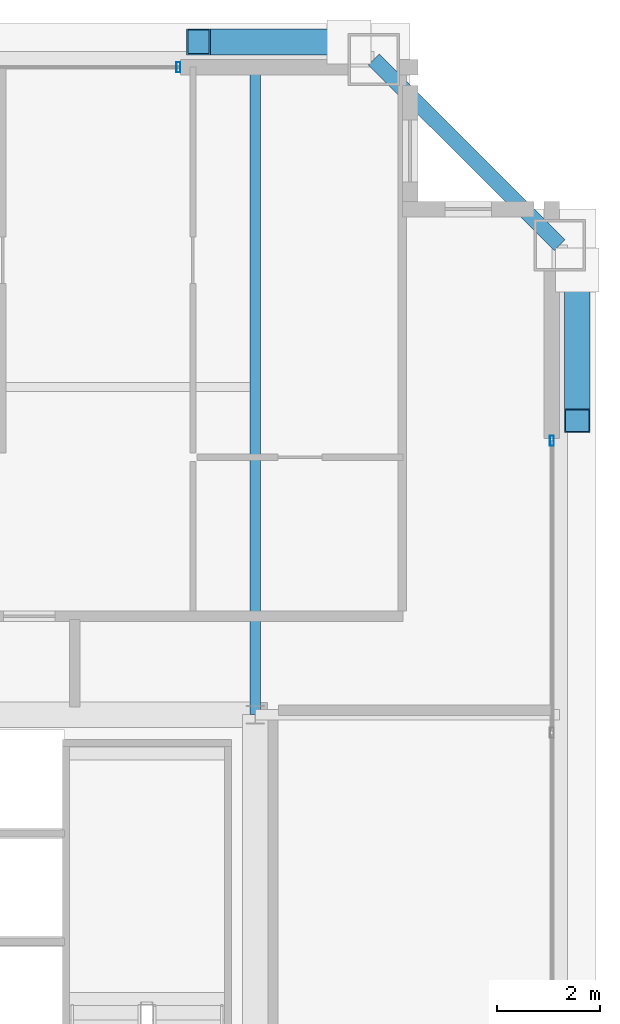
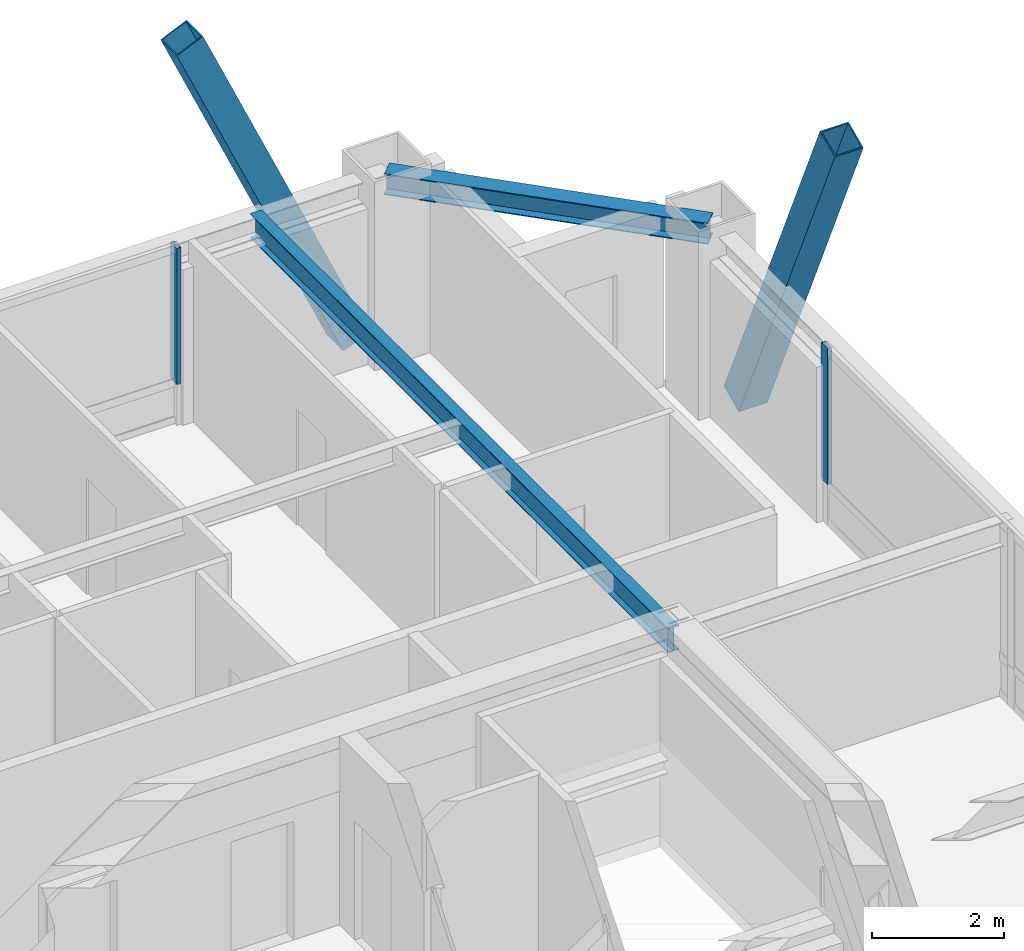
# One storey, part 18 of 33: 4 members, 2 beams, 2 elements without a shape of their own.
"""IFC4 building model written with IfcOpenShell, lengths in metres."""

from ifc_helpers import new_model, si_unit, direction, frame, origin, origin_2d, place, context, subcontext, project, spatial, hollow_rectangle, i_section, extrude, source, transform, mapped, material, layer, layer_set, material_profile, profile_set, type_object, element, aggregate, save


model = new_model("IFC4")

# Units and contexts
model_context = context("Model", 3, precision=1e-05, world=origin(), true_north=direction((0.0, 1.0)))
body_context = subcontext(model_context, "Body", "Model", "MODEL_VIEW")
ifc_project = project(units=[si_unit("LENGTHUNIT", "METRE"), si_unit("AREAUNIT", "SQUARE_METRE"), si_unit("VOLUMEUNIT", "CUBIC_METRE"), si_unit("PLANEANGLEUNIT", "RADIAN"), si_unit("MASSUNIT", "GRAM", prefix="KILO"), si_unit("THERMODYNAMICTEMPERATUREUNIT", "KELVIN"), si_unit("POWERUNIT", "WATT")], contexts=[model_context])

# Site, building, storey
site_placement = place(None, origin())
site = spatial("IfcSite", under=ifc_project, at=site_placement, CompositionType="ELEMENT")
building_placement = place(site_placement, origin())
building = spatial("IfcBuilding", under=site, at=building_placement, Name="Yuzanri Waterfront Tower", CompositionType="ELEMENT")
storey_placement = place(building_placement, frame((0.0, 0.0, 292.60009765625)))
storey = spatial("IfcBuildingStorey", under=building, at=storey_placement, Name="L78", CompositionType="ELEMENT", Elevation=292.60009765625)

# Beams
ifc_material_1 = material(Name="Steel Q355B", Category="steel")
ifc_material_profile_1 = material_profile(ifc_material_1, i_section(OverallWidth=0.300048828125, OverallDepth=0.389892578125, WebThickness=0.010009765625, FlangeThickness=0.01611328125, at=origin_2d()), Name="HM 390x300x10x16")
ifc_profile_set_1 = profile_set([ifc_material_profile_1], Name="Steel Q355B")
beam_type_1 = type_object("IfcBeamType", Name="Perimeter Spandrel Q355B HM 390x300", PredefinedType="SPANDREL", material=ifc_profile_set_1)
shared_shape_1 = source(origin(), body_context, "Body", "SweptSolid", [
    extrude(i_section(OverallWidth=0.300048828125, OverallDepth=0.389892578125, WebThickness=0.010009765625, FlangeThickness=0.01611328125, at=origin_2d()), origin(), (0.0, 0.0, 1.0), 5.091064453125),
])
beam_1_placement = place(storey_placement, frame((56.10009765625, 41.300048828125, 3.0849609375), z_axis=(-0.707130757816, 0.707082803744, 0.0), x_axis=(-0.707082803744, -0.707130757816, 0.0)))
element("IfcBeam", 1, at=beam_1_placement, inside=storey, type_object=beam_type_1, Name="L78 Perimeter Spandrel E3-N3", PredefinedType="SPANDREL", context=body_context, shape_type="MappedRepresentation", body=[
    mapped(shared_shape_1, transform((0.0, 0.0, 0.0), scale=1.0)),
])
ifc_material_2 = material(Name="Steel Q355B", Category="steel")
ifc_material_profile_2 = material_profile(ifc_material_2, i_section(OverallWidth=0.199951171875, OverallDepth=0.449951171875, WebThickness=0.009033203125, FlangeThickness=0.013916015625, at=origin_2d()), Name="HN 450x200x9x14")
ifc_profile_set_2 = profile_set([ifc_material_profile_2], Name="Steel Q355B")
beam_type_2 = type_object("IfcBeamType", Name="Secondary Floor Beam Q355B HN 450x200", PredefinedType="BEAM", material=ifc_profile_set_2)
shared_shape_2 = source(origin(), body_context, "Body", "SweptSolid", [
    extrude(i_section(OverallWidth=0.199951171875, OverallDepth=0.449951171875, WebThickness=0.009033203125, FlangeThickness=0.013916015625, at=origin_2d()), origin(), (0.0, 0.0, 1.0), 12.699951171875),
])
beam_2_placement = place(storey_placement, frame((50.199951171875, 32.199951171875, 3.054931640625), z_axis=(0.0, 1.0, 0.0), x_axis=(-1.0, 0.0, 0.0)))
element("IfcBeam", 2, at=beam_2_placement, inside=storey, type_object=beam_type_2, Name="L78 North-East Core Line Beam", PredefinedType="BEAM", context=body_context, shape_type="MappedRepresentation", body=[
    mapped(shared_shape_2, transform((0.0, 0.0, 0.0), scale=1.0)),
])

# Members
ifc_material_3 = material(Name="Steel Q390GJC", Category="steel")
ifc_material_profile_3 = material_profile(ifc_material_3, hollow_rectangle(XDim=0.5, YDim=0.5, WallThickness=0.02197265625, at=origin_2d()), Name="RHS 500x500x22")
ifc_profile_set_3 = profile_set([ifc_material_profile_3], Name="Steel Q390GJC")
member_type_1 = type_object("IfcMemberType", Name="Mega Brace Upper Q390GJC RHS 500x500x22", PredefinedType="BRACE", material=ifc_profile_set_3)
shared_shape_3 = source(origin(), body_context, "Body", "SweptSolid", [
    extrude(hollow_rectangle(XDim=0.5, YDim=0.5, WallThickness=0.02197265625, at=origin_2d()), origin(), (0.0, 0.0, 1.0), 7.125732421875),
])
for number, where, z_axis, x_axis, name in (
    (3, (52.02001953125, 45.239990234375, 0.179931640625), (-0.409771952938, 0.0, 0.912187999584), (0.0, -1.0, 0.0), "L78-L79 Perimeter Mega-Brace N-R"),
    (4, (56.43994140625, 40.820068359375, 0.179931640625), (0.0, -0.409800461192, 0.912175192607), (1.0, 0.0, 0.0), "L78-L79 Perimeter Mega-Brace E-R"),
):
    element("IfcMember", number, at=place(storey_placement, frame(where, z_axis=z_axis, x_axis=x_axis)), inside=storey, type_object=member_type_1, Name=name, PredefinedType="BRACE", context=body_context, shape_type="MappedRepresentation", body=[
        mapped(shared_shape_3, transform((0.0, 0.0, 0.0), scale=1.0)),
    ])

# Curtain wall, member
ifc_material_4 = material(Name="Anodized Architectural Bronze", Category="metal")
ifc_layer = layer(ifc_material_4, 0.159912109375)
ifc_layer_set = layer_set([ifc_layer], Name="Anodized Architectural Bronze")
curtain_wall_type = type_object("IfcCurtainWallType", Name="Anodized Bronze High-Rise Penthouse High-Wind Unitized Curtain Wall 6900", PredefinedType="NOTDEFINED", material=ifc_layer_set)
curtain_wall_1_placement = place(storey_placement, origin())
curtain_wall_1 = element("IfcCurtainWall", 5, at=curtain_wall_1_placement, inside=storey, type_object=curtain_wall_type, Name="L78 Curtain Wall CW-L78-NR", PredefinedType="NOTDEFINED")
ifc_material_5 = material(Name="Anodized Architectural Bronze", Category="metal")
ifc_material_profile_4 = material_profile(ifc_material_5, hollow_rectangle(XDim=0.074951171875, YDim=0.199951171875, WallThickness=0.00390625, at=origin_2d()), Name="CWM 75x200")
ifc_profile_set_4 = profile_set([ifc_material_profile_4], Name="Anodized Architectural Bronze")
member_type_2 = type_object("IfcMemberType", Name="Anodized Bronze Primary Curtain-Wall Mullion 75x200", PredefinedType="MULLION", material=ifc_profile_set_4)
shared_shape_4 = source(origin(), body_context, "Body", "SweptSolid", [
    extrude(hollow_rectangle(XDim=0.074951171875, YDim=0.199951171875, WallThickness=0.00390625, at=origin_2d()), origin(), (0.0, 0.0, 1.0), 2.52392578125),
])
member_1_placement = place(storey_placement, frame((48.7099609375, 44.75, 0.755859375), z_axis=(0.0, 0.0, 1.0), x_axis=(1.0, 0.0, 0.0)))
member_1 = element("IfcMember", 6, at=member_1_placement, type_object=member_type_2, Name="CW-L78-NR Upper Mullion 02", PredefinedType="MULLION", context=body_context, shape_type="MappedRepresentation", body=[
    mapped(shared_shape_4, transform((0.0, 0.0, 0.0), scale=1.0)),
])
aggregate(curtain_wall_1, [member_1])

curtain_wall_2_placement = place(storey_placement, origin())
curtain_wall_2 = element("IfcCurtainWall", 7, at=curtain_wall_2_placement, inside=storey, type_object=curtain_wall_type, Name="L78 Curtain Wall CW-L78-ER", PredefinedType="NOTDEFINED")
member_2_placement = place(storey_placement, frame((55.949951171875, 37.510009765625, 0.755859375), z_axis=(0.0, 0.0, 1.0), x_axis=(1.0, 0.0, 0.0)))
member_2 = element("IfcMember", 8, at=member_2_placement, type_object=member_type_2, Name="CW-L78-ER Upper Mullion 02", PredefinedType="MULLION", context=body_context, shape_type="MappedRepresentation", body=[
    mapped(shared_shape_4, transform((0.0, 0.0, 0.0), scale=1.0)),
])
aggregate(curtain_wall_2, [member_2])

save(model, "model.ifc")
